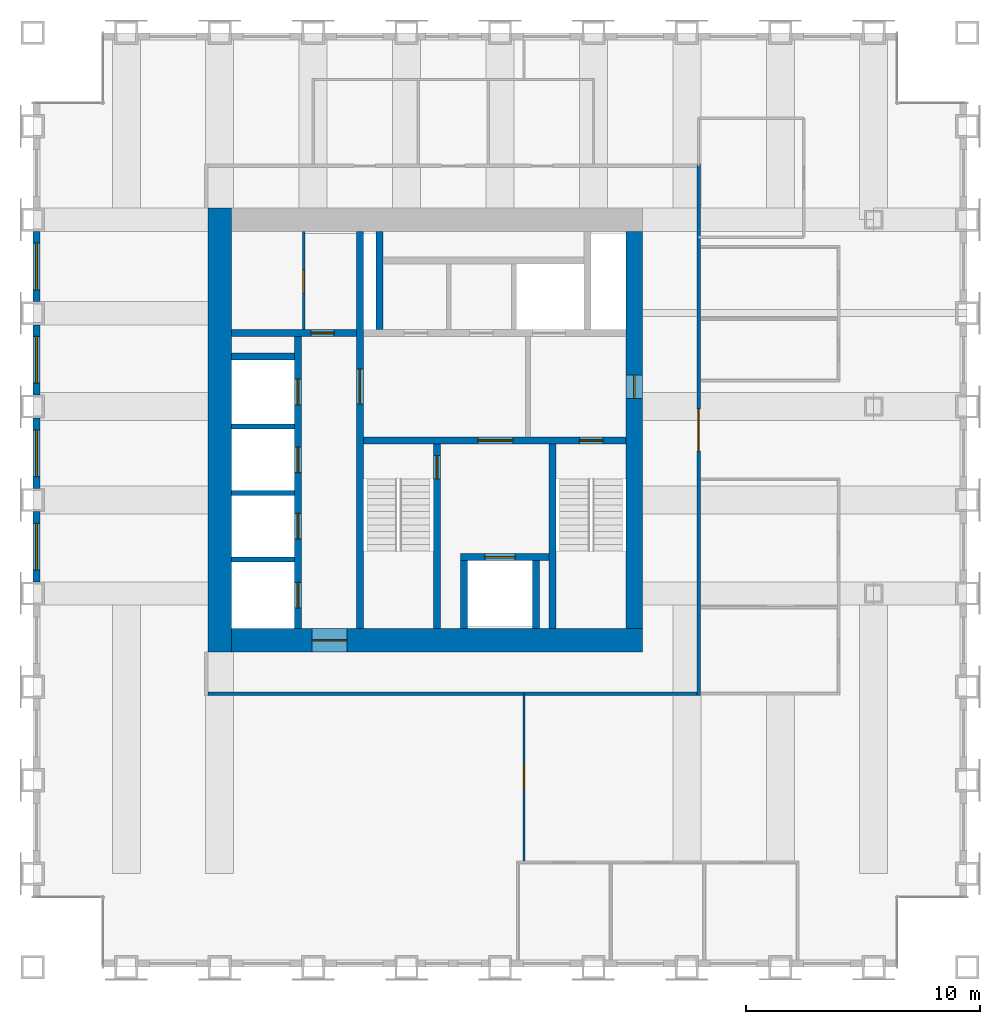
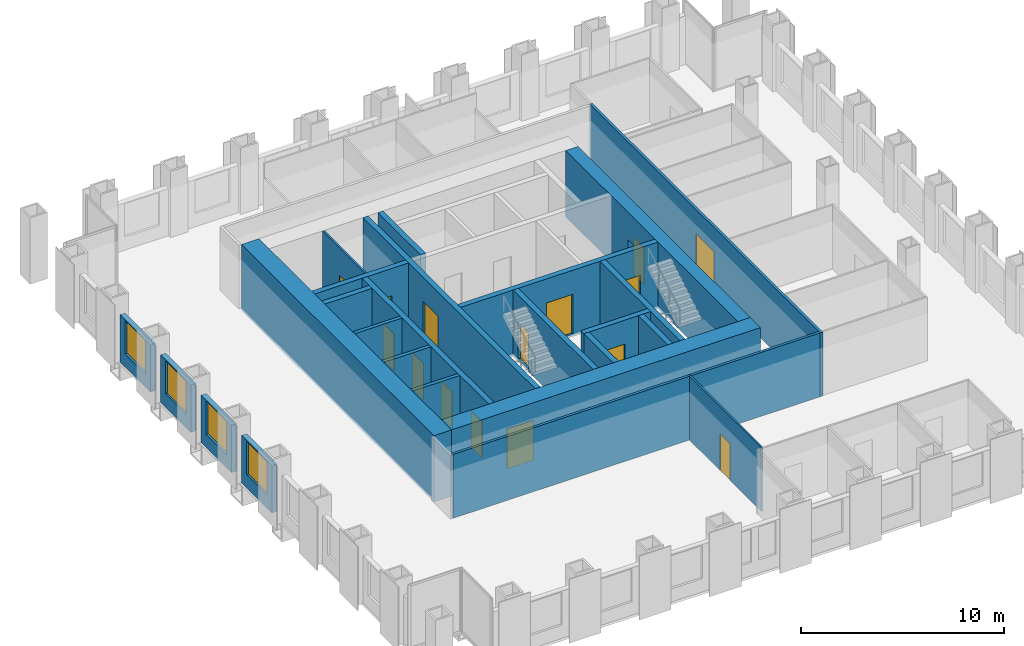
# One storey, part 8 of 11: 25 walls, 15 doors, 4 windows, 19 openings.
"""IFC4 building model written with IfcOpenShell, lengths in metres."""

from ifc_helpers import new_model, si_unit, direction, frame, frame_2d, origin, place, context, subcontext, project, spatial, rectangle, extrude, material, layer, layer_set, type_object, element, fill, save


model = new_model("IFC4")

# Units and contexts
model_context = context("Model", 3, precision=1e-05, world=origin(), true_north=direction((0.0, 1.0)))
body_context = subcontext(model_context, "Body", "Model", "MODEL_VIEW")
ifc_project = project(units=[si_unit("LENGTHUNIT", "METRE"), si_unit("AREAUNIT", "SQUARE_METRE"), si_unit("VOLUMEUNIT", "CUBIC_METRE"), si_unit("PLANEANGLEUNIT", "RADIAN"), si_unit("MASSUNIT", "GRAM", prefix="KILO")], contexts=[model_context])

# Site, building, storey
site_placement = place(None, origin())
site = spatial("IfcSite", under=ifc_project, at=site_placement, CompositionType="ELEMENT")
building_placement = place(site_placement, origin())
building = spatial("IfcBuilding", under=site, at=building_placement, Name="Rimbunsela Tower", CompositionType="ELEMENT")
storey_placement = place(building_placement, frame((0.0, 0.0, 242.199951171875)))
storey = spatial("IfcBuildingStorey", under=building, at=storey_placement, Name="L58", CompositionType="ELEMENT", Elevation=242.199951171875)

# Wall, opening, door
ifc_material_1 = material(Name="Concrete fc' 80 MPa", Category="concrete")
ifc_layer_1 = layer(ifc_material_1, 0.300048828125)
ifc_layer_set_1 = layer_set([ifc_layer_1], Name="Core internal wall 300")
wall_type_1 = type_object("IfcWallType", Name="Core internal wall 300", PredefinedType="SHEAR", material=ifc_layer_set_1)
wall_1_placement = place(storey_placement, frame((24.0, 18.5, -0.14990234375), z_axis=(0.0, 0.0, 1.0), x_axis=(0.0, 1.0, 0.0)))
wall_1 = element("IfcWall", 1, at=wall_1_placement, inside=storey, type_object=wall_type_1, Name="Core wall at stair A", PredefinedType="SHEAR", context=body_context, shape_type="SweptSolid", body=[
    extrude(rectangle(XDim=17.0, YDim=0.300048828125, at=frame_2d((8.5, 0.0))), origin(), (0.0, 0.0, 1.0), 4.0),
])
opening_1_placement = place(wall_1_placement, frame((9.60009765625, 0.0, 0.14990234375)))
opening_1 = element("IfcOpeningElement", 2, at=opening_1_placement, cuts=wall_1, Name="Opening D03", PredefinedType="OPENING", context=body_context, shape_type="SweptSolid", body=[
    extrude(rectangle(XDim=1.5, YDim=2.39990234375, at=frame_2d((0.75, 1.199951171875))), frame((0.0, 0.159912109375, 0.0), z_axis=(0.0, -1.0, 0.0), x_axis=(1.0, 0.0, 0.0)), (0.0, 0.0, 1.0), 0.320068359375),
])
ifc_material_2 = material(Name="Steel door, fire rated", Category="steel")
door_type_1 = type_object("IfcDoorType", Name="Core lobby door 1500", OperationType="DOUBLE_DOOR_DOUBLE_SWING", PredefinedType="DOOR", material=ifc_material_2)
door_1_placement = place(opening_1_placement, origin())
door_1 = element("IfcDoor", 3, at=door_1_placement, inside=storey, type_object=door_type_1, Name="West lobby door", OperationType="DOUBLE_DOOR_DOUBLE_SWING", OverallHeight=2.39990234375, OverallWidth=1.5, PredefinedType="DOOR", context=body_context, shape_type="SweptSolid", body=[
    extrude(rectangle(XDim=1.5, YDim=2.39990234375, at=frame_2d((0.75, 1.199951171875))), frame((0.0, 0.02490234375, 0.0), z_axis=(0.0, -1.0, 0.0), x_axis=(1.0, 0.0, 0.0)), (0.0, 0.0, 1.0), 0.050048828125),
])
fill(opening_1, door_1)

# Wall, openings, doors
wall_2_placement = place(storey_placement, frame((24.14990234375, 26.550048828125, -0.14990234375), z_axis=(0.0, 0.0, 1.0), x_axis=(1.0, 0.0, 0.0)))
wall_2 = element("IfcWall", 4, at=wall_2_placement, inside=storey, type_object=wall_type_1, Name="Core wall lobby south", PredefinedType="SHEAR", context=body_context, shape_type="SweptSolid", body=[
    extrude(rectangle(XDim=11.25, YDim=0.300048828125, at=frame_2d((5.625, 0.0))), origin(), (0.0, 0.0, 1.0), 4.0),
])
opening_2_placement = place(wall_2_placement, frame((9.25, 0.0, 0.14990234375)))
opening_2 = element("IfcOpeningElement", 5, at=opening_2_placement, cuts=wall_2, Name="Opening D01", PredefinedType="OPENING", context=body_context, shape_type="SweptSolid", body=[
    extrude(rectangle(XDim=1.0, YDim=2.199951171875, at=frame_2d((0.5, 1.10009765625))), frame((0.0, 0.159912109375, 0.0), z_axis=(0.0, -1.0, 0.0), x_axis=(1.0, 0.0, 0.0)), (0.0, 0.0, 1.0), 0.320068359375),
])
opening_3_placement = place(wall_2_placement, frame((4.89990234375, 0.0, 0.14990234375)))
opening_3 = element("IfcOpeningElement", 6, at=opening_3_placement, cuts=wall_2, Name="Opening D03", PredefinedType="OPENING", context=body_context, shape_type="SweptSolid", body=[
    extrude(rectangle(XDim=1.5, YDim=2.39990234375, at=frame_2d((0.75, 1.199951171875))), frame((0.0, 0.159912109375, 0.0), z_axis=(0.0, -1.0, 0.0), x_axis=(1.0, 0.0, 0.0)), (0.0, 0.0, 1.0), 0.320068359375),
])
door_2_placement = place(opening_3_placement, origin())
door_2 = element("IfcDoor", 7, at=door_2_placement, inside=storey, type_object=door_type_1, Name="Firefighting lobby door", OperationType="DOUBLE_DOOR_DOUBLE_SWING", OverallHeight=2.39990234375, OverallWidth=1.5, PredefinedType="DOOR", context=body_context, shape_type="SweptSolid", body=[
    extrude(rectangle(XDim=1.5, YDim=2.39990234375, at=frame_2d((0.75, 1.199951171875))), frame((0.0, 0.02490234375, 0.0), z_axis=(0.0, -1.0, 0.0), x_axis=(1.0, 0.0, 0.0)), (0.0, 0.0, 1.0), 0.050048828125),
])
fill(opening_3, door_2)
ifc_material_3 = material(Name="Steel door, fire rated", Category="steel")
door_type_2 = type_object("IfcDoorType", Name="Stair door 1000", OperationType="SINGLE_SWING_RIGHT", PredefinedType="DOOR", material=ifc_material_3)
door_3_placement = place(opening_2_placement, frame((1.0, 0.0, 0.0), z_axis=(0.0, 0.0, 1.0), x_axis=(-1.0, 0.0, 0.0)))
door_3 = element("IfcDoor", 8, at=door_3_placement, inside=storey, type_object=door_type_2, Name="Stair B door", OperationType="SINGLE_SWING_RIGHT", OverallHeight=2.199951171875, OverallWidth=1.0, PredefinedType="DOOR", context=body_context, shape_type="SweptSolid", body=[
    extrude(rectangle(XDim=1.0, YDim=2.199951171875, at=frame_2d((0.5, 1.10009765625))), frame((0.0, 0.02490234375, 0.0), z_axis=(0.0, -1.0, 0.0), x_axis=(1.0, 0.0, 0.0)), (0.0, 0.0, 1.0), 0.050048828125),
])
fill(opening_2, door_3)

# Wall, opening, door
wall_3_placement = place(storey_placement, frame((27.300048828125, 18.5, -0.14990234375), z_axis=(0.0, 0.0, 1.0), x_axis=(0.0, 1.0, 0.0)))
wall_3 = element("IfcWall", 9, at=wall_3_placement, inside=storey, type_object=wall_type_1, Name="Stair A enclosure", PredefinedType="SHEAR", context=body_context, shape_type="SweptSolid", body=[
    extrude(rectangle(XDim=7.89990234375, YDim=0.300048828125, at=frame_2d((3.949951171875, 0.0))), origin(), (0.0, 0.0, 1.0), 4.0),
])
opening_4_placement = place(wall_3_placement, frame((6.39990234375, 0.0, 0.14990234375)))
opening_4 = element("IfcOpeningElement", 10, at=opening_4_placement, cuts=wall_3, Name="Opening D01", PredefinedType="OPENING", context=body_context, shape_type="SweptSolid", body=[
    extrude(rectangle(XDim=1.0, YDim=2.199951171875, at=frame_2d((0.5, 1.10009765625))), frame((0.0, 0.159912109375, 0.0), z_axis=(0.0, -1.0, 0.0), x_axis=(1.0, 0.0, 0.0)), (0.0, 0.0, 1.0), 0.320068359375),
])
door_4_placement = place(opening_4_placement, origin())
door_4 = element("IfcDoor", 11, at=door_4_placement, inside=storey, type_object=door_type_2, Name="Stair A door", OperationType="SINGLE_SWING_RIGHT", OverallHeight=2.199951171875, OverallWidth=1.0, PredefinedType="DOOR", context=body_context, shape_type="SweptSolid", body=[
    extrude(rectangle(XDim=1.0, YDim=2.199951171875, at=frame_2d((0.5, 1.10009765625))), frame((0.0, 0.02490234375, 0.0), z_axis=(0.0, -1.0, 0.0), x_axis=(1.0, 0.0, 0.0)), (0.0, 0.0, 1.0), 0.050048828125),
])
fill(opening_4, door_4)

# Walls
wall_4_placement = place(storey_placement, frame((32.25, 18.5, -0.14990234375), z_axis=(0.0, 0.0, 1.0), x_axis=(0.0, 1.0, 0.0)))
element("IfcWall", 12, at=wall_4_placement, inside=storey, type_object=wall_type_1, Name="Stair B enclosure", PredefinedType="SHEAR", context=body_context, shape_type="SweptSolid", body=[
    extrude(rectangle(XDim=7.89990234375, YDim=0.300048828125, at=frame_2d((3.949951171875, 0.0))), origin(), (0.0, 0.0, 1.0), 4.0),
])
for number, where, z_axis, x_axis, name in (
    (13, (28.449951171875, 18.5, -0.14990234375), (0.0, 0.0, 1.0), (0.0, 1.0, 0.0), "Firefighting lift shaft west"),
    (14, (31.550048828125, 18.5, -0.14990234375), (0.0, 0.0, 1.0), (0.0, 1.0, 0.0), "Firefighting lift shaft east"),
):
    element("IfcWall", number, at=place(storey_placement, frame(where, z_axis=z_axis, x_axis=x_axis)), inside=storey, type_object=wall_type_1, Name=name, PredefinedType="SHEAR", context=body_context, shape_type="SweptSolid", body=[
        extrude(rectangle(XDim=2.89990234375, YDim=0.300048828125, at=frame_2d((1.449951171875, 0.0))), origin(), (0.0, 0.0, 1.0), 4.0),
    ])

# Wall, opening, door
wall_5_placement = place(storey_placement, frame((28.300048828125, 21.550048828125, -0.14990234375), z_axis=(0.0, 0.0, 1.0), x_axis=(1.0, 0.0, 0.0)))
wall_5 = element("IfcWall", 15, at=wall_5_placement, inside=storey, type_object=wall_type_1, Name="Firefighting lift shaft front", PredefinedType="SHEAR", context=body_context, shape_type="SweptSolid", body=[
    extrude(rectangle(XDim=3.800048828125, YDim=0.300048828125, at=frame_2d((1.89990234375, 0.0))), origin(), (0.0, 0.0, 1.0), 4.0),
])
opening_5_placement = place(wall_5_placement, frame((1.050048828125, 0.0, 0.14990234375)))
opening_5 = element("IfcOpeningElement", 16, at=opening_5_placement, cuts=wall_5, Name="Opening LD2", PredefinedType="OPENING", context=body_context, shape_type="SweptSolid", body=[
    extrude(rectangle(XDim=1.300048828125, YDim=2.39990234375, at=frame_2d((0.64990234375, 1.199951171875))), frame((0.0, 0.159912109375, 0.0), z_axis=(0.0, -1.0, 0.0), x_axis=(1.0, 0.0, 0.0)), (0.0, 0.0, 1.0), 0.320068359375),
])
ifc_material_4 = material(Name="Steel door, fire rated", Category="steel")
door_type_3 = type_object("IfcDoorType", Name="Lift landing door 1300", OperationType="DOUBLE_DOOR_SLIDING", PredefinedType="DOOR", material=ifc_material_4)
door_5_placement = place(opening_5_placement, origin())
door_5 = element("IfcDoor", 17, at=door_5_placement, inside=storey, type_object=door_type_3, Name="Lift landing door FL1", OperationType="DOUBLE_DOOR_SLIDING", OverallHeight=2.39990234375, OverallWidth=1.300048828125, PredefinedType="DOOR", context=body_context, shape_type="SweptSolid", body=[
    extrude(rectangle(XDim=1.300048828125, YDim=2.39990234375, at=frame_2d((0.64990234375, 1.199951171875))), frame((0.0, 0.02490234375, 0.0), z_axis=(0.0, -1.0, 0.0), x_axis=(1.0, 0.0, 0.0)), (0.0, 0.0, 1.0), 0.050048828125),
])
fill(opening_5, door_5)

# Wall, openings, doors
wall_6_placement = place(storey_placement, frame((21.35009765625, 18.5, -0.14990234375), z_axis=(0.0, 0.0, 1.0), x_axis=(0.0, 1.0, 0.0)))
wall_6 = element("IfcWall", 18, at=wall_6_placement, inside=storey, type_object=wall_type_1, Name="Lift shaft front west", PredefinedType="SHEAR", context=body_context, shape_type="SweptSolid", body=[
    extrude(rectangle(XDim=12.5, YDim=0.300048828125, at=frame_2d((6.25, 0.0))), origin(), (0.0, 0.0, 1.0), 4.0),
])
opening_6_placement = place(wall_6_placement, frame((0.875, 0.0, 0.14990234375)))
opening_6 = element("IfcOpeningElement", 19, at=opening_6_placement, cuts=wall_6, Name="Opening LD1", PredefinedType="OPENING", context=body_context, shape_type="SweptSolid", body=[
    extrude(rectangle(XDim=1.10009765625, YDim=2.199951171875, at=frame_2d((0.550048828125, 1.10009765625))), frame((0.0, 0.159912109375, 0.0), z_axis=(0.0, -1.0, 0.0), x_axis=(1.0, 0.0, 0.0)), (0.0, 0.0, 1.0), 0.320068359375),
])
opening_7_placement = place(wall_6_placement, frame((3.824951171875, 0.0, 0.14990234375)))
opening_7 = element("IfcOpeningElement", 20, at=opening_7_placement, cuts=wall_6, Name="Opening LD1", PredefinedType="OPENING", context=body_context, shape_type="SweptSolid", body=[
    extrude(rectangle(XDim=1.10009765625, YDim=2.199951171875, at=frame_2d((0.550048828125, 1.10009765625))), frame((0.0, 0.159912109375, 0.0), z_axis=(0.0, -1.0, 0.0), x_axis=(1.0, 0.0, 0.0)), (0.0, 0.0, 1.0), 0.320068359375),
])
opening_8_placement = place(wall_6_placement, frame((6.675048828125, 0.0, 0.14990234375)))
opening_8 = element("IfcOpeningElement", 21, at=opening_8_placement, cuts=wall_6, Name="Opening LD1", PredefinedType="OPENING", context=body_context, shape_type="SweptSolid", body=[
    extrude(rectangle(XDim=1.10009765625, YDim=2.199951171875, at=frame_2d((0.550048828125, 1.10009765625))), frame((0.0, 0.159912109375, 0.0), z_axis=(0.0, -1.0, 0.0), x_axis=(1.0, 0.0, 0.0)), (0.0, 0.0, 1.0), 0.320068359375),
])
opening_9_placement = place(wall_6_placement, frame((9.574951171875, 0.0, 0.14990234375)))
opening_9 = element("IfcOpeningElement", 22, at=opening_9_placement, cuts=wall_6, Name="Opening LD1", PredefinedType="OPENING", context=body_context, shape_type="SweptSolid", body=[
    extrude(rectangle(XDim=1.10009765625, YDim=2.199951171875, at=frame_2d((0.550048828125, 1.10009765625))), frame((0.0, 0.159912109375, 0.0), z_axis=(0.0, -1.0, 0.0), x_axis=(1.0, 0.0, 0.0)), (0.0, 0.0, 1.0), 0.320068359375),
])
ifc_material_5 = material(Name="Steel door, fire rated", Category="steel")
door_type_4 = type_object("IfcDoorType", Name="Lift landing door 1100", OperationType="DOUBLE_DOOR_SLIDING", PredefinedType="DOOR", material=ifc_material_5)
door_6_placement = place(opening_6_placement, origin())
door_6 = element("IfcDoor", 23, at=door_6_placement, inside=storey, type_object=door_type_4, Name="Lift landing door TL1", OperationType="DOUBLE_DOOR_SLIDING", OverallHeight=2.199951171875, OverallWidth=1.10009765625, PredefinedType="DOOR", context=body_context, shape_type="SweptSolid", body=[
    extrude(rectangle(XDim=1.10009765625, YDim=2.199951171875, at=frame_2d((0.550048828125, 1.10009765625))), frame((0.0, 0.02490234375, 0.0), z_axis=(0.0, -1.0, 0.0), x_axis=(1.0, 0.0, 0.0)), (0.0, 0.0, 1.0), 0.050048828125),
])
fill(opening_6, door_6)
door_7_placement = place(opening_7_placement, origin())
door_7 = element("IfcDoor", 24, at=door_7_placement, inside=storey, type_object=door_type_4, Name="Lift landing door TL2", OperationType="DOUBLE_DOOR_SLIDING", OverallHeight=2.199951171875, OverallWidth=1.10009765625, PredefinedType="DOOR", context=body_context, shape_type="SweptSolid", body=[
    extrude(rectangle(XDim=1.10009765625, YDim=2.199951171875, at=frame_2d((0.550048828125, 1.10009765625))), frame((0.0, 0.02490234375, 0.0), z_axis=(0.0, -1.0, 0.0), x_axis=(1.0, 0.0, 0.0)), (0.0, 0.0, 1.0), 0.050048828125),
])
fill(opening_7, door_7)
door_8_placement = place(opening_8_placement, origin())
door_8 = element("IfcDoor", 25, at=door_8_placement, inside=storey, type_object=door_type_4, Name="Lift landing door TL3", OperationType="DOUBLE_DOOR_SLIDING", OverallHeight=2.199951171875, OverallWidth=1.10009765625, PredefinedType="DOOR", context=body_context, shape_type="SweptSolid", body=[
    extrude(rectangle(XDim=1.10009765625, YDim=2.199951171875, at=frame_2d((0.550048828125, 1.10009765625))), frame((0.0, 0.02490234375, 0.0), z_axis=(0.0, -1.0, 0.0), x_axis=(1.0, 0.0, 0.0)), (0.0, 0.0, 1.0), 0.050048828125),
])
fill(opening_8, door_8)
door_9_placement = place(opening_9_placement, origin())
door_9 = element("IfcDoor", 26, at=door_9_placement, inside=storey, type_object=door_type_4, Name="Lift landing door TL4", OperationType="DOUBLE_DOOR_SLIDING", OverallHeight=2.199951171875, OverallWidth=1.10009765625, PredefinedType="DOOR", context=body_context, shape_type="SweptSolid", body=[
    extrude(rectangle(XDim=1.10009765625, YDim=2.199951171875, at=frame_2d((0.550048828125, 1.10009765625))), frame((0.0, 0.02490234375, 0.0), z_axis=(0.0, -1.0, 0.0), x_axis=(1.0, 0.0, 0.0)), (0.0, 0.0, 1.0), 0.050048828125),
])
fill(opening_9, door_9)

# Wall, opening, door
wall_7_placement = place(storey_placement, frame((18.5, 31.14990234375, -0.14990234375), z_axis=(0.0, 0.0, 1.0), x_axis=(1.0, 0.0, 0.0)))
wall_7 = element("IfcWall", 27, at=wall_7_placement, inside=storey, type_object=wall_type_1, Name="Store wall", PredefinedType="SHEAR", context=body_context, shape_type="SweptSolid", body=[
    extrude(rectangle(XDim=5.35009765625, YDim=0.300048828125, at=frame_2d((2.675048828125, 0.0))), origin(), (0.0, 0.0, 1.0), 4.0),
])
opening_10_placement = place(wall_7_placement, frame((3.39990234375, 0.0, 0.14990234375)))
opening_10 = element("IfcOpeningElement", 28, at=opening_10_placement, cuts=wall_7, Name="Opening D19", PredefinedType="OPENING", context=body_context, shape_type="SweptSolid", body=[
    extrude(rectangle(XDim=1.0, YDim=2.199951171875, at=frame_2d((0.5, 1.10009765625))), frame((0.0, 0.159912109375, 0.0), z_axis=(0.0, -1.0, 0.0), x_axis=(1.0, 0.0, 0.0)), (0.0, 0.0, 1.0), 0.320068359375),
])
ifc_material_6 = material(Name="Steel door, fire rated", Category="steel")
door_type_5 = type_object("IfcDoorType", Name="Service door 1000 fire rated", OperationType="SINGLE_SWING_LEFT", PredefinedType="DOOR", material=ifc_material_6)
door_10_placement = place(opening_10_placement, origin())
door_10 = element("IfcDoor", 29, at=door_10_placement, inside=storey, type_object=door_type_5, Name="Staff pantry door", OperationType="SINGLE_SWING_LEFT", OverallHeight=2.199951171875, OverallWidth=1.0, PredefinedType="DOOR", context=body_context, shape_type="SweptSolid", body=[
    extrude(rectangle(XDim=1.0, YDim=2.199951171875, at=frame_2d((0.5, 1.10009765625))), frame((0.0, 0.02490234375, 0.0), z_axis=(0.0, -1.0, 0.0), x_axis=(1.0, 0.0, 0.0)), (0.0, 0.0, 1.0), 0.050048828125),
])
fill(opening_10, door_10)

# Walls
wall_8_placement = place(storey_placement, frame((18.5, 30.14990234375, -0.14990234375), z_axis=(0.0, 0.0, 1.0), x_axis=(1.0, 0.0, 0.0)))
element("IfcWall", 30, at=wall_8_placement, inside=storey, type_object=wall_type_1, Name="Lift shaft rear west", PredefinedType="SHEAR", context=body_context, shape_type="SweptSolid", body=[
    extrude(rectangle(XDim=2.699951171875, YDim=0.300048828125, at=frame_2d((1.35009765625, 0.0))), origin(), (0.0, 0.0, 1.0), 4.0),
])
wall_9_placement = place(storey_placement, frame((24.85009765625, 31.300048828125, -0.14990234375), z_axis=(0.0, 0.0, 1.0), x_axis=(0.0, 1.0, 0.0)))
element("IfcWall", 31, at=wall_9_placement, inside=storey, type_object=wall_type_1, Name="Riser wall", PredefinedType="SHEAR", context=body_context, shape_type="SweptSolid", body=[
    extrude(rectangle(XDim=4.199951171875, YDim=0.300048828125, at=frame_2d((2.10009765625, 0.0))), origin(), (0.0, 0.0, 1.0), 4.0),
])

# Wall, opening, door
ifc_material_7 = material(Name="Concrete blockwork", Category="masonry")
ifc_layer_2 = layer(ifc_material_7, 0.10009765625)
ifc_layer_set_2 = layer_set([ifc_layer_2], Name="Core room partition 100")
wall_type_2 = type_object("IfcWallType", Name="Core room partition 100", PredefinedType="PARTITIONING", material=ifc_layer_set_2)
wall_10_placement = place(storey_placement, frame((21.60009765625, 31.300048828125, 0.0), z_axis=(0.0, 0.0, 1.0), x_axis=(0.0, 1.0, 0.0)))
wall_10 = element("IfcWall", 32, at=wall_10_placement, inside=storey, type_object=wall_type_2, Name="Tenant store wall", PredefinedType="PARTITIONING", context=body_context, shape_type="SweptSolid", body=[
    extrude(rectangle(XDim=4.199951171875, YDim=0.10009765625, at=frame_2d((2.10009765625, 0.0))), origin(), (0.0, 0.0, 1.0), 3.85009765625),
])
opening_11_placement = place(wall_10_placement, frame((1.550048828125, 0.0, 0.0)))
opening_11 = element("IfcOpeningElement", 33, at=opening_11_placement, cuts=wall_10, Name="Opening D19", PredefinedType="OPENING", context=body_context, shape_type="SweptSolid", body=[
    extrude(rectangle(XDim=1.0, YDim=2.199951171875, at=frame_2d((0.5, 1.10009765625))), frame((0.0, 0.06005859375, 0.0), z_axis=(0.0, -1.0, 0.0), x_axis=(1.0, 0.0, 0.0)), (0.0, 0.0, 1.0), 0.1201171875),
])
door_11_placement = place(opening_11_placement, origin())
door_11 = element("IfcDoor", 34, at=door_11_placement, inside=storey, type_object=door_type_5, Name="Tenant store door", OperationType="SINGLE_SWING_LEFT", OverallHeight=2.199951171875, OverallWidth=1.0, PredefinedType="DOOR", context=body_context, shape_type="SweptSolid", body=[
    extrude(rectangle(XDim=1.0, YDim=2.199951171875, at=frame_2d((0.5, 1.10009765625))), frame((0.0, 0.02490234375, 0.0), z_axis=(0.0, -1.0, 0.0), x_axis=(1.0, 0.0, 0.0)), (0.0, 0.0, 1.0), 0.050048828125),
])
fill(opening_11, door_11)

# Wall
ifc_material_8 = material(Name="Concrete fc' 80 MPa", Category="concrete")
ifc_layer_3 = layer(ifc_material_8, 1.0)
ifc_layer_set_3 = layer_set([ifc_layer_3], Name="Core wall 1000")
wall_type_3 = type_object("IfcWallType", Name="Core wall 1000", PredefinedType="SHEAR", material=ifc_layer_set_3)
wall_11_placement = place(storey_placement, frame((18.0, 17.5, -0.14990234375), z_axis=(0.0, 0.0, 1.0), x_axis=(0.0, 1.0, 0.0)))
element("IfcWall", 35, at=wall_11_placement, inside=storey, type_object=wall_type_3, Name="Core wall west", PredefinedType="SHEAR", context=body_context, shape_type="SweptSolid", body=[
    extrude(rectangle(XDim=19.0, YDim=1.0, at=frame_2d((9.5, 0.0))), origin(), (0.0, 0.0, 1.0), 4.0),
])

# Wall, opening, door
wall_12_placement = place(storey_placement, frame((18.5, 18.0, -0.14990234375), z_axis=(0.0, 0.0, 1.0), x_axis=(1.0, 0.0, 0.0)))
wall_12 = element("IfcWall", 36, at=wall_12_placement, inside=storey, type_object=wall_type_3, Name="Core wall south", PredefinedType="SHEAR", context=body_context, shape_type="SweptSolid", body=[
    extrude(rectangle(XDim=17.60009765625, YDim=1.0, at=frame_2d((8.800048828125, 0.0))), origin(), (0.0, 0.0, 1.0), 4.0),
])
opening_12_placement = place(wall_12_placement, frame((3.449951171875, 0.0, 0.14990234375)))
opening_12 = element("IfcOpeningElement", 37, at=opening_12_placement, cuts=wall_12, Name="Opening D03", PredefinedType="OPENING", context=body_context, shape_type="SweptSolid", body=[
    extrude(rectangle(XDim=1.5, YDim=2.39990234375, at=frame_2d((0.75, 1.199951171875))), frame((0.0, 0.510009765625, 0.0), z_axis=(0.0, -1.0, 0.0), x_axis=(1.0, 0.0, 0.0)), (0.0, 0.0, 1.0), 1.02001953125),
])
door_12_placement = place(opening_12_placement, origin())
door_12 = element("IfcDoor", 38, at=door_12_placement, inside=storey, type_object=door_type_1, Name="Core door south", OperationType="DOUBLE_DOOR_DOUBLE_SWING", OverallHeight=2.39990234375, OverallWidth=1.5, PredefinedType="DOOR", context=body_context, shape_type="SweptSolid", body=[
    extrude(rectangle(XDim=1.5, YDim=2.39990234375, at=frame_2d((0.75, 1.199951171875))), frame((0.0, 0.02490234375, 0.0), z_axis=(0.0, -1.0, 0.0), x_axis=(1.0, 0.0, 0.0)), (0.0, 0.0, 1.0), 0.050048828125),
])
fill(opening_12, door_12)

ifc_material_9 = material(Name="Concrete fc' 80 MPa", Category="concrete")
ifc_layer_4 = layer(ifc_material_9, 0.699951171875)
ifc_layer_set_4 = layer_set([ifc_layer_4], Name="Core wall 700 east")
wall_type_4 = type_object("IfcWallType", Name="Core wall 700 east", PredefinedType="SHEAR", material=ifc_layer_set_4)
wall_13_placement = place(storey_placement, frame((35.75, 18.5, -0.14990234375), z_axis=(0.0, 0.0, 1.0), x_axis=(0.0, 1.0, 0.0)))
wall_13 = element("IfcWall", 39, at=wall_13_placement, inside=storey, type_object=wall_type_4, Name="Core wall east", PredefinedType="SHEAR", context=body_context, shape_type="SweptSolid", body=[
    extrude(rectangle(XDim=17.0, YDim=0.699951171875, at=frame_2d((8.5, 0.0))), origin(), (0.0, 0.0, 1.0), 4.0),
])
opening_13_placement = place(wall_13_placement, frame((9.85009765625, 0.0, 0.14990234375)))
opening_13 = element("IfcOpeningElement", 40, at=opening_13_placement, cuts=wall_13, Name="Opening D01", PredefinedType="OPENING", context=body_context, shape_type="SweptSolid", body=[
    extrude(rectangle(XDim=1.0, YDim=2.199951171875, at=frame_2d((0.5, 1.10009765625))), frame((0.0, 0.35986328125, 0.0), z_axis=(0.0, -1.0, 0.0), x_axis=(1.0, 0.0, 0.0)), (0.0, 0.0, 1.0), 0.719970703125),
])
door_13_placement = place(opening_13_placement, origin())
door_13 = element("IfcDoor", 41, at=door_13_placement, inside=storey, type_object=door_type_2, Name="Firefighting lobby 2 door", OperationType="SINGLE_SWING_RIGHT", OverallHeight=2.199951171875, OverallWidth=1.0, PredefinedType="DOOR", context=body_context, shape_type="SweptSolid", body=[
    extrude(rectangle(XDim=1.0, YDim=2.199951171875, at=frame_2d((0.5, 1.10009765625))), frame((0.0, 0.02490234375, 0.0), z_axis=(0.0, -1.0, 0.0), x_axis=(1.0, 0.0, 0.0)), (0.0, 0.0, 1.0), 0.050048828125),
])
fill(opening_13, door_13)

# Walls
ifc_material_10 = material(Name="Concrete blockwork", Category="masonry")
ifc_layer_5 = layer(ifc_material_10, 0.199951171875)
ifc_layer_set_5 = layer_set([ifc_layer_5], Name="Lift shaft wall 200")
wall_type_5 = type_object("IfcWallType", Name="Lift shaft wall 200", PredefinedType="SOLIDWALL", material=ifc_layer_set_5)
for number, where, z_axis, x_axis, name in (
    (42, (18.5, 21.449951171875, -0.14990234375), (0.0, 0.0, 1.0), (1.0, 0.0, 0.0), "Lift shaft separation"),
    (43, (18.5, 24.300048828125, -0.14990234375), (0.0, 0.0, 1.0), (1.0, 0.0, 0.0), "Lift shaft separation"),
    (44, (18.5, 27.14990234375, -0.14990234375), (0.0, 0.0, 1.0), (1.0, 0.0, 0.0), "Lift shaft separation"),
):
    element("IfcWall", number, at=place(storey_placement, frame(where, z_axis=z_axis, x_axis=x_axis)), inside=storey, type_object=wall_type_5, Name=name, PredefinedType="SOLIDWALL", context=body_context, shape_type="SweptSolid", body=[
        extrude(rectangle(XDim=2.699951171875, YDim=0.199951171875, at=frame_2d((1.35009765625, 0.0))), origin(), (0.0, 0.0, 1.0), 4.0),
    ])

# Wall, opening, door
ifc_material_11 = material(Name="Gypsum board on steel studs", Category="steel")
ifc_layer_6 = layer(ifc_material_11, 0.10009765625)
ifc_layer_set_6 = layer_set([ifc_layer_6], Name="Office partition 100")
wall_type_6 = type_object("IfcWallType", Name="Office partition 100", PredefinedType="PARTITIONING", material=ifc_layer_set_6)
wall_14_placement = place(storey_placement, frame((31.02490234375, 15.699951171875, 0.0), z_axis=(0.0, 0.0, 1.0), x_axis=(0.0, -1.0, 0.0)))
wall_14 = element("IfcWall", 45, at=wall_14_placement, inside=storey, type_object=wall_type_6, Name="Office partition", PredefinedType="PARTITIONING", context=body_context, shape_type="SweptSolid", body=[
    extrude(rectangle(XDim=7.14990234375, YDim=0.10009765625, at=frame_2d((3.574951171875, 0.0))), origin(), (0.0, 0.0, 1.0), 3.85009765625),
])
opening_14_placement = place(wall_14_placement, frame((3.074951171875, 0.0, 0.0)))
opening_14 = element("IfcOpeningElement", 46, at=opening_14_placement, cuts=wall_14, Name="Opening D17", PredefinedType="OPENING", context=body_context, shape_type="SweptSolid", body=[
    extrude(rectangle(XDim=1.0, YDim=2.199951171875, at=frame_2d((0.5, 1.10009765625))), frame((0.0, 0.06005859375, 0.0), z_axis=(0.0, -1.0, 0.0), x_axis=(1.0, 0.0, 0.0)), (0.0, 0.0, 1.0), 0.1201171875),
])
ifc_material_12 = material(Name="Glazed aluminium door", Category="aluminium")
door_type_6 = type_object("IfcDoorType", Name="Meeting room door 1000 glazed", OperationType="SINGLE_SWING_RIGHT", PredefinedType="DOOR", material=ifc_material_12)
door_14_placement = place(opening_14_placement, origin())
door_14 = element("IfcDoor", 47, at=door_14_placement, inside=storey, type_object=door_type_6, Name="Open office screen door", OperationType="SINGLE_SWING_RIGHT", OverallHeight=2.199951171875, OverallWidth=1.0, PredefinedType="DOOR", context=body_context, shape_type="SweptSolid", body=[
    extrude(rectangle(XDim=1.0, YDim=2.199951171875, at=frame_2d((0.5, 1.10009765625))), frame((0.0, 0.02490234375, 0.0), z_axis=(0.0, -1.0, 0.0), x_axis=(1.0, 0.0, 0.0)), (0.0, 0.0, 1.0), 0.050048828125),
])
fill(opening_14, door_14)

# Wall, opening, window
ifc_material_13 = material(Name="Precast concrete fc' 35 MPa", Category="concrete")
ifc_layer_7 = layer(ifc_material_13, 0.300048828125)
ifc_layer_set_7 = layer_set([ifc_layer_7], Name="Precast concrete fc' 35 MPa")
wall_type_7 = type_object("IfcWallType", Name="Precast facade panel 300", PredefinedType="ELEMENTEDWALL", material=ifc_layer_set_7)
wall_15_placement = place(storey_placement, frame((10.14990234375, 23.5, 0.0), z_axis=(0.0, 0.0, 1.0), x_axis=(0.0, -1.0, 0.0)))
wall_15 = element("IfcWall", 48, at=wall_15_placement, inside=storey, type_object=wall_type_7, Name="Facade panel W L58", PredefinedType="ELEMENTEDWALL", context=body_context, shape_type="SweptSolid", body=[
    extrude(rectangle(XDim=3.0, YDim=0.300048828125, at=frame_2d((1.5, 0.0))), origin(), (0.0, 0.0, 1.0), 2.85009765625),
])
opening_15_placement = place(wall_15_placement, frame((0.5, 0.0, 0.800048828125)))
opening_15 = element("IfcOpeningElement", 49, at=opening_15_placement, cuts=wall_15, Name="Opening W1", PredefinedType="OPENING", context=body_context, shape_type="SweptSolid", body=[
    extrude(rectangle(XDim=2.0, YDim=2.0, at=frame_2d((1.0, 1.0))), frame((0.0, 0.159912109375, 0.0), z_axis=(0.0, -1.0, 0.0), x_axis=(1.0, 0.0, 0.0)), (0.0, 0.0, 1.0), 0.320068359375),
])
ifc_material_14 = material(Name="Clear glass in aluminium frame", Category="aluminium")
window_type = type_object("IfcWindowType", Name="Window W1 2000x2000", PartitioningType="DOUBLE_PANEL_VERTICAL", PredefinedType="WINDOW", material=ifc_material_14)
window_1_placement = place(opening_15_placement, origin())
window_1 = element("IfcWindow", 50, at=window_1_placement, inside=storey, type_object=window_type, Name="Window L58", OverallHeight=2.0, OverallWidth=2.0, PartitioningType="SINGLE_PANEL", PredefinedType="WINDOW", context=body_context, shape_type="SweptSolid", body=[
    extrude(rectangle(XDim=2.0, YDim=2.0, at=frame_2d((1.0, 1.0))), frame((0.0, 0.030029296875, 0.0), z_axis=(0.0, -1.0, 0.0), x_axis=(1.0, 0.0, 0.0)), (0.0, 0.0, 1.0), 0.06005859375),
])
fill(opening_15, window_1)

wall_16_placement = place(storey_placement, frame((10.14990234375, 27.5, 0.0), z_axis=(0.0, 0.0, 1.0), x_axis=(0.0, -1.0, 0.0)))
wall_16 = element("IfcWall", 51, at=wall_16_placement, inside=storey, type_object=wall_type_7, Name="Facade panel W L58", PredefinedType="ELEMENTEDWALL", context=body_context, shape_type="SweptSolid", body=[
    extrude(rectangle(XDim=3.0, YDim=0.300048828125, at=frame_2d((1.5, 0.0))), origin(), (0.0, 0.0, 1.0), 2.85009765625),
])
opening_16_placement = place(wall_16_placement, frame((0.5, 0.0, 0.800048828125)))
opening_16 = element("IfcOpeningElement", 52, at=opening_16_placement, cuts=wall_16, Name="Opening W1", PredefinedType="OPENING", context=body_context, shape_type="SweptSolid", body=[
    extrude(rectangle(XDim=2.0, YDim=2.0, at=frame_2d((1.0, 1.0))), frame((0.0, 0.159912109375, 0.0), z_axis=(0.0, -1.0, 0.0), x_axis=(1.0, 0.0, 0.0)), (0.0, 0.0, 1.0), 0.320068359375),
])
window_2_placement = place(opening_16_placement, origin())
window_2 = element("IfcWindow", 53, at=window_2_placement, inside=storey, type_object=window_type, Name="Window L58", OverallHeight=2.0, OverallWidth=2.0, PartitioningType="SINGLE_PANEL", PredefinedType="WINDOW", context=body_context, shape_type="SweptSolid", body=[
    extrude(rectangle(XDim=2.0, YDim=2.0, at=frame_2d((1.0, 1.0))), frame((0.0, 0.030029296875, 0.0), z_axis=(0.0, -1.0, 0.0), x_axis=(1.0, 0.0, 0.0)), (0.0, 0.0, 1.0), 0.06005859375),
])
fill(opening_16, window_2)

wall_17_placement = place(storey_placement, frame((10.14990234375, 31.5, 0.0), z_axis=(0.0, 0.0, 1.0), x_axis=(0.0, -1.0, 0.0)))
wall_17 = element("IfcWall", 54, at=wall_17_placement, inside=storey, type_object=wall_type_7, Name="Facade panel W L58", PredefinedType="ELEMENTEDWALL", context=body_context, shape_type="SweptSolid", body=[
    extrude(rectangle(XDim=3.0, YDim=0.300048828125, at=frame_2d((1.5, 0.0))), origin(), (0.0, 0.0, 1.0), 2.85009765625),
])
opening_17_placement = place(wall_17_placement, frame((0.5, 0.0, 0.800048828125)))
opening_17 = element("IfcOpeningElement", 55, at=opening_17_placement, cuts=wall_17, Name="Opening W1", PredefinedType="OPENING", context=body_context, shape_type="SweptSolid", body=[
    extrude(rectangle(XDim=2.0, YDim=2.0, at=frame_2d((1.0, 1.0))), frame((0.0, 0.159912109375, 0.0), z_axis=(0.0, -1.0, 0.0), x_axis=(1.0, 0.0, 0.0)), (0.0, 0.0, 1.0), 0.320068359375),
])
window_3_placement = place(opening_17_placement, origin())
window_3 = element("IfcWindow", 56, at=window_3_placement, inside=storey, type_object=window_type, Name="Window L58", OverallHeight=2.0, OverallWidth=2.0, PartitioningType="SINGLE_PANEL", PredefinedType="WINDOW", context=body_context, shape_type="SweptSolid", body=[
    extrude(rectangle(XDim=2.0, YDim=2.0, at=frame_2d((1.0, 1.0))), frame((0.0, 0.030029296875, 0.0), z_axis=(0.0, -1.0, 0.0), x_axis=(1.0, 0.0, 0.0)), (0.0, 0.0, 1.0), 0.06005859375),
])
fill(opening_17, window_3)

wall_18_placement = place(storey_placement, frame((10.14990234375, 35.5, 0.0), z_axis=(0.0, 0.0, 1.0), x_axis=(0.0, -1.0, 0.0)))
wall_18 = element("IfcWall", 57, at=wall_18_placement, inside=storey, type_object=wall_type_7, Name="Facade panel W L58", PredefinedType="ELEMENTEDWALL", context=body_context, shape_type="SweptSolid", body=[
    extrude(rectangle(XDim=3.0, YDim=0.300048828125, at=frame_2d((1.5, 0.0))), origin(), (0.0, 0.0, 1.0), 2.85009765625),
])
opening_18_placement = place(wall_18_placement, frame((0.5, 0.0, 0.800048828125)))
opening_18 = element("IfcOpeningElement", 58, at=opening_18_placement, cuts=wall_18, Name="Opening W1", PredefinedType="OPENING", context=body_context, shape_type="SweptSolid", body=[
    extrude(rectangle(XDim=2.0, YDim=2.0, at=frame_2d((1.0, 1.0))), frame((0.0, 0.159912109375, 0.0), z_axis=(0.0, -1.0, 0.0), x_axis=(1.0, 0.0, 0.0)), (0.0, 0.0, 1.0), 0.320068359375),
])
window_4_placement = place(opening_18_placement, origin())
window_4 = element("IfcWindow", 59, at=window_4_placement, inside=storey, type_object=window_type, Name="Window L58", OverallHeight=2.0, OverallWidth=2.0, PartitioningType="SINGLE_PANEL", PredefinedType="WINDOW", context=body_context, shape_type="SweptSolid", body=[
    extrude(rectangle(XDim=2.0, YDim=2.0, at=frame_2d((1.0, 1.0))), frame((0.0, 0.030029296875, 0.0), z_axis=(0.0, -1.0, 0.0), x_axis=(1.0, 0.0, 0.0)), (0.0, 0.0, 1.0), 0.06005859375),
])
fill(opening_18, window_4)

# Wall, opening, door
ifc_material_15 = material(Name="Fire-rated gypsum board on steel studs, EI 60", Category="steel")
ifc_layer_8 = layer(ifc_material_15, 0.14990234375)
ifc_layer_set_8 = layer_set([ifc_layer_8], Name="Rated corridor wall 150")
wall_type_8 = type_object("IfcWallType", Name="Rated corridor wall 150", PredefinedType="PARTITIONING", material=ifc_layer_set_8)
wall_19_placement = place(storey_placement, frame((38.5, 15.625, 0.0), z_axis=(0.0, 0.0, 1.0), x_axis=(0.0, 1.0, 0.0)))
wall_19 = element("IfcWall", 60, at=wall_19_placement, inside=storey, type_object=wall_type_8, Name="Corridor wall east", PredefinedType="PARTITIONING", context=body_context, shape_type="SweptSolid", body=[
    extrude(rectangle(XDim=22.75, YDim=0.14990234375, at=frame_2d((11.375, 0.0))), origin(), (0.0, 0.0, 1.0), 3.85009765625),
])
opening_19_placement = place(wall_19_placement, frame((10.47509765625, 0.0, 0.0)))
opening_19 = element("IfcOpeningElement", 61, at=opening_19_placement, cuts=wall_19, Name="Opening D09", PredefinedType="OPENING", context=body_context, shape_type="SweptSolid", body=[
    extrude(rectangle(XDim=1.800048828125, YDim=2.39990234375, at=frame_2d((0.89990234375, 1.199951171875))), frame((0.0, 0.0849609375, 0.0), z_axis=(0.0, -1.0, 0.0), x_axis=(1.0, 0.0, 0.0)), (0.0, 0.0, 1.0), 0.169921875),
])
ifc_material_16 = material(Name="Glazed aluminium door, fire rated", Category="aluminium")
door_type_7 = type_object("IfcDoorType", Name="Tenancy door 1800 glazed", OperationType="DOUBLE_DOOR_DOUBLE_SWING", PredefinedType="DOOR", material=ifc_material_16)
door_15_placement = place(opening_19_placement, origin())
door_15 = element("IfcDoor", 62, at=door_15_placement, inside=storey, type_object=door_type_7, Name="Tenancy door", OperationType="DOUBLE_DOOR_DOUBLE_SWING", OverallHeight=2.39990234375, OverallWidth=1.800048828125, PredefinedType="DOOR", context=body_context, shape_type="SweptSolid", body=[
    extrude(rectangle(XDim=1.800048828125, YDim=2.39990234375, at=frame_2d((0.89990234375, 1.199951171875))), frame((0.0, 0.02490234375, 0.0), z_axis=(0.0, -1.0, 0.0), x_axis=(1.0, 0.0, 0.0)), (0.0, 0.0, 1.0), 0.050048828125),
])
fill(opening_19, door_15)

# Wall
wall_20_placement = place(storey_placement, frame((17.5, 15.699951171875, 0.0), z_axis=(0.0, 0.0, 1.0), x_axis=(1.0, 0.0, 0.0)))
element("IfcWall", 63, at=wall_20_placement, inside=storey, type_object=wall_type_8, Name="Corridor wall south", PredefinedType="PARTITIONING", context=body_context, shape_type="SweptSolid", body=[
    extrude(rectangle(XDim=20.925048828125, YDim=0.14990234375, at=frame_2d((10.46240234375, 0.0))), origin(), (0.0, 0.0, 1.0), 3.85009765625),
])

save(model, "model.ifc")
